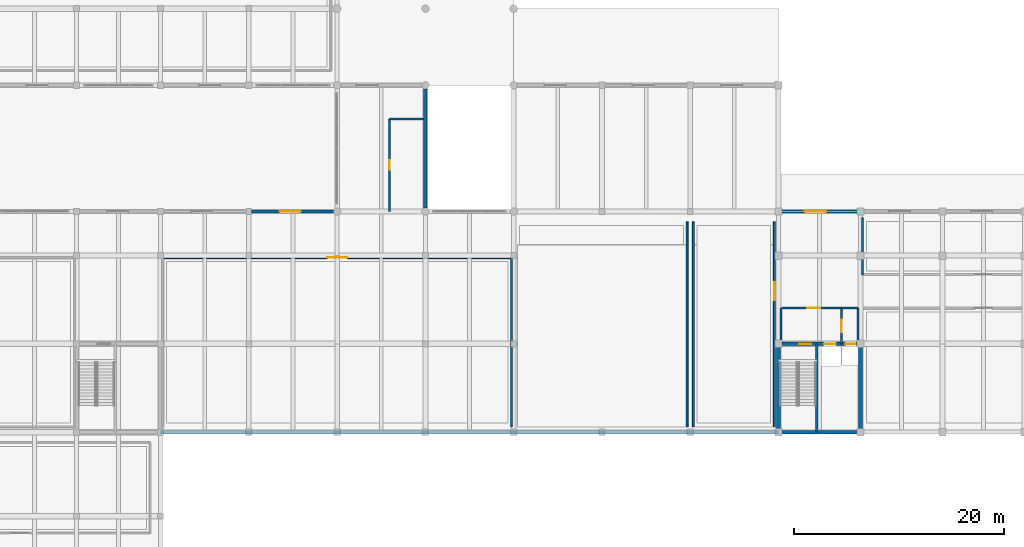
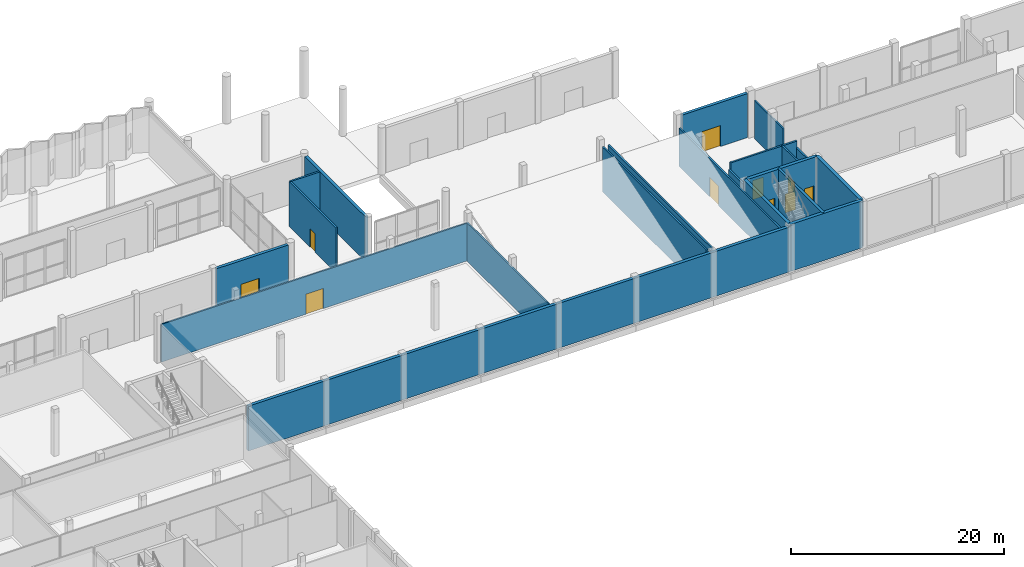
# One storey, part 29 of 41: 22 walls, 10 doors, 10 openings.
"""IFC4 building model written with IfcOpenShell, lengths in metres."""

from ifc_helpers import new_model, si_unit, direction, frame, frame_2d, origin, place, context, subcontext, project, spatial, rectangle, extrude, material, layer, layer_set, type_object, element, fill, save


model = new_model("IFC4")

# Units and contexts
model_context = context("Model", 3, precision=1e-05, world=origin(), true_north=direction((0.0, 1.0)))
body_context = subcontext(model_context, "Body", "Model", "MODEL_VIEW")
ifc_project = project(units=[si_unit("LENGTHUNIT", "METRE"), si_unit("AREAUNIT", "SQUARE_METRE"), si_unit("VOLUMEUNIT", "CUBIC_METRE"), si_unit("PLANEANGLEUNIT", "RADIAN"), si_unit("MASSUNIT", "GRAM", prefix="KILO")], contexts=[model_context])

# Site, building, storey
site_placement = place(None, origin())
site = spatial("IfcSite", under=ifc_project, at=site_placement, CompositionType="ELEMENT")
building_placement = place(site_placement, origin())
building = spatial("IfcBuilding", under=site, at=building_placement, Name="Vharandega Faculty of Natural Sciences", CompositionType="ELEMENT")
storey_placement = place(building_placement, origin())
storey = spatial("IfcBuildingStorey", under=building, at=storey_placement, Name="L00", CompositionType="ELEMENT", Elevation=0.0)

# Walls
ifc_material_1 = material(Name="Acoustic masonry blockwork 15 MPa", Category="masonry")
ifc_layer_1 = layer(ifc_material_1, 0.179931640625, Name="Acoustic masonry blockwork 15 MPa")
ifc_layer_set_1 = layer_set([ifc_layer_1], Name="Acoustic masonry blockwork 15 MPa")
wall_type_1 = type_object("IfcWallType", Name="Acoustic Lecture Wall 180", PredefinedType="PARTITIONING", material=ifc_layer_set_1)
for number, where, z_axis, x_axis, name in (
    (1, (106.10009765625, 64.5, 0.0), (0.0, 0.0, 1.0), (0.0, 1.0, 0.0), "Interior Wall PW-L00-R17E"),
    (2, (106.699951171875, 64.5, 0.0), (0.0, 0.0, 1.0), (0.0, 1.0, 0.0), "Interior Wall PW-L00-R18W"),
):
    element("IfcWall", number, at=place(storey_placement, frame(where, z_axis=z_axis, x_axis=x_axis)), inside=storey, type_object=wall_type_1, Name=name, PredefinedType="PARTITIONING", context=body_context, shape_type="SweptSolid", body=[
        extrude(rectangle(XDim=19.5, YDim=0.179931640625, at=frame_2d((9.75, 0.0))), origin(), (0.0, 0.0, 1.0), 5.139892578125),
    ])

# Wall, opening, door
wall_1_placement = place(storey_placement, frame((114.39990234375, 64.5, 0.0), z_axis=(0.0, 0.0, 1.0), x_axis=(0.0, 1.0, 0.0)))
wall_1 = element("IfcWall", 3, at=wall_1_placement, inside=storey, type_object=wall_type_1, Name="Interior Wall PW-L00-R18E", PredefinedType="PARTITIONING", context=body_context, shape_type="SweptSolid", body=[
    extrude(rectangle(XDim=19.5, YDim=0.179931640625, at=frame_2d((9.75, 0.0))), origin(), (0.0, 0.0, 1.0), 4.3701171875),
])
opening_1_placement = place(wall_1_placement, frame((12.050048828125, 0.0, 0.0)))
opening_1 = element("IfcOpeningElement", 4, at=opening_1_placement, cuts=wall_1, Name="Opening D0244", PredefinedType="OPENING", context=body_context, shape_type="SweptSolid", body=[
    extrude(rectangle(XDim=1.699951171875, YDim=2.25, at=frame_2d((0.85009765625, 1.125))), frame((0.0, 0.10009765625, 0.0), z_axis=(0.0, -1.0, 0.0), x_axis=(1.0, 0.0, 0.0)), (0.0, 0.0, 1.0), 0.199951171875),
])
ifc_material_2 = material(Name="Solid-core hardwood timber fire door", Category="wood")
door_type_1 = type_object("IfcDoorType", Name="ID01-LECTURE-DBL-1700x2250", OperationType="DOUBLE_DOOR_SINGLE_SWING", PredefinedType="DOOR", material=ifc_material_2)
door_1_placement = place(opening_1_placement, origin())
door_1 = element("IfcDoor", 5, at=door_1_placement, inside=storey, type_object=door_type_1, Name="Chemistry and Physics Lecture Theatre LT-02 Door D0244", OperationType="DOUBLE_DOOR_SINGLE_SWING", OverallHeight=2.25, OverallWidth=1.699951171875, PredefinedType="DOOR", context=body_context, shape_type="SweptSolid", body=[
    extrude(rectangle(XDim=1.699951171875, YDim=2.25, at=frame_2d((0.85009765625, 1.125))), frame((0.0, 0.02490234375, 0.0), z_axis=(0.0, -1.0, 0.0), x_axis=(1.0, 0.0, 0.0)), (0.0, 0.0, 1.0), 0.050048828125),
])
fill(opening_1, door_1)

# Walls
ifc_material_3 = material(Name="Concrete C40/50", Category="concrete")
ifc_layer_2 = layer(ifc_material_3, 0.35009765625, Name="Concrete C40/50")
ifc_layer_set_2 = layer_set([ifc_layer_2], Name="Concrete C40/50")
wall_type_2 = type_object("IfcWallType", Name="Core Shear Wall 350", PredefinedType="SHEAR", material=ifc_layer_set_2)
wall_2_placement = place(storey_placement, frame((114.800048828125, 64.0, 0.0), z_axis=(0.0, 0.0, 1.0), x_axis=(1.0, 0.0, 0.0)))
element("IfcWall", 6, at=wall_2_placement, inside=storey, type_object=wall_type_2, Name="Interior Wall CW-C1-L00-S", PredefinedType="SHEAR", context=body_context, shape_type="SweptSolid", body=[
    extrude(rectangle(XDim=7.800048828125, YDim=0.35009765625, at=frame_2d((3.89990234375, 0.0))), origin(), (0.0, 0.0, 1.0), 5.39990234375),
])
for number, where, z_axis, x_axis, name in (
    (7, (114.800048828125, 64.0, 0.0), (0.0, 0.0, 1.0), (0.0, 1.0, 0.0), "Interior Wall CW-C1-L00-W"),
    (8, (122.60009765625, 64.0, 0.0), (0.0, 0.0, 1.0), (0.0, 1.0, 0.0), "Interior Wall CW-C1-L00-E"),
):
    element("IfcWall", number, at=place(storey_placement, frame(where, z_axis=z_axis, x_axis=x_axis)), inside=storey, type_object=wall_type_2, Name=name, PredefinedType="SHEAR", context=body_context, shape_type="SweptSolid", body=[
        extrude(rectangle(XDim=8.39990234375, YDim=0.35009765625, at=frame_2d((4.199951171875, 0.0))), origin(), (0.0, 0.0, 1.0), 5.39990234375),
    ])

# Wall, openings, doors
wall_3_placement = place(storey_placement, frame((114.800048828125, 72.39990234375, 0.0), z_axis=(0.0, 0.0, 1.0), x_axis=(1.0, 0.0, 0.0)))
wall_3 = element("IfcWall", 9, at=wall_3_placement, inside=storey, type_object=wall_type_2, Name="Interior Wall CW-C1-L00-N", PredefinedType="SHEAR", context=body_context, shape_type="SweptSolid", body=[
    extrude(rectangle(XDim=7.800048828125, YDim=0.35009765625, at=frame_2d((3.89990234375, 0.0))), origin(), (0.0, 0.0, 1.0), 5.39990234375),
])
opening_2_placement = place(wall_3_placement, frame((1.97998046875, 0.0, 0.0)))
opening_2 = element("IfcOpeningElement", 10, at=opening_2_placement, cuts=wall_3, Name="Opening FD1", PredefinedType="OPENING", context=body_context, shape_type="SweptSolid", body=[
    extrude(rectangle(XDim=1.14990234375, YDim=2.199951171875, at=frame_2d((0.574951171875, 1.10009765625))), frame((0.0, 0.18505859375, 0.0), z_axis=(0.0, -1.0, 0.0), x_axis=(1.0, 0.0, 0.0)), (0.0, 0.0, 1.0), 0.3701171875),
])
opening_3_placement = place(wall_3_placement, frame((4.35009765625, 0.0, 0.0)))
opening_3 = element("IfcOpeningElement", 11, at=opening_3_placement, cuts=wall_3, Name="Opening LD-FL1-L00", PredefinedType="OPENING", context=body_context, shape_type="SweptSolid", body=[
    extrude(rectangle(XDim=1.10009765625, YDim=2.14990234375, at=frame_2d((0.550048828125, 1.074951171875))), frame((0.0, 0.18505859375, 0.0), z_axis=(0.0, -1.0, 0.0), x_axis=(1.0, 0.0, 0.0)), (0.0, 0.0, 1.0), 0.3701171875),
])
opening_4_placement = place(wall_3_placement, frame((6.360107421875, 0.0, 0.0)))
opening_4 = element("IfcOpeningElement", 12, at=opening_4_placement, cuts=wall_3, Name="Opening LD-LP1-L00", PredefinedType="OPENING", context=body_context, shape_type="SweptSolid", body=[
    extrude(rectangle(XDim=1.0, YDim=2.14990234375, at=frame_2d((0.5, 1.074951171875))), frame((0.0, 0.18505859375, 0.0), z_axis=(0.0, -1.0, 0.0), x_axis=(1.0, 0.0, 0.0)), (0.0, 0.0, 1.0), 0.3701171875),
])
ifc_material_4 = material(Name="Solid-core hardwood timber fire door", Category="wood")
door_type_2 = type_object("IfcDoorType", Name="FD1-STAIR-1150x2200", OperationType="NOTDEFINED", PredefinedType="DOOR", material=ifc_material_4)
door_2_placement = place(opening_2_placement, origin())
door_2 = element("IfcDoor", 13, at=door_2_placement, inside=storey, type_object=door_type_2, Name="Stair ST1 Fire Door FD1", OperationType="SINGLE_SWING_LEFT", OverallHeight=2.199951171875, OverallWidth=1.14990234375, PredefinedType="DOOR", context=body_context, shape_type="SweptSolid", body=[
    extrude(rectangle(XDim=1.14990234375, YDim=2.199951171875, at=frame_2d((0.574951171875, 1.10009765625))), frame((0.0, 0.02490234375, 0.0), z_axis=(0.0, -1.0, 0.0), x_axis=(1.0, 0.0, 0.0)), (0.0, 0.0, 1.0), 0.050048828125),
])
fill(opening_2, door_2)
ifc_material_5 = material(Name="Brushed stainless steel sliding landing door", Category="steel")
door_type_3 = type_object("IfcDoorType", Name="LD1-FFLIFT-SLIDING-1100x2150", OperationType="DOUBLE_DOOR_SLIDING", PredefinedType="DOOR", material=ifc_material_5)
door_3_placement = place(opening_3_placement, origin())
door_3 = element("IfcDoor", 14, at=door_3_placement, inside=storey, type_object=door_type_3, Name="Lift Landing Door LD-FL1-L00", OperationType="DOUBLE_DOOR_SLIDING", OverallHeight=2.14990234375, OverallWidth=1.10009765625, PredefinedType="DOOR", context=body_context, shape_type="SweptSolid", body=[
    extrude(rectangle(XDim=1.10009765625, YDim=2.14990234375, at=frame_2d((0.550048828125, 1.074951171875))), frame((0.0, 0.02490234375, 0.0), z_axis=(0.0, -1.0, 0.0), x_axis=(1.0, 0.0, 0.0)), (0.0, 0.0, 1.0), 0.050048828125),
])
fill(opening_3, door_3)
ifc_material_6 = material(Name="Brushed stainless steel sliding landing door", Category="steel")
door_type_4 = type_object("IfcDoorType", Name="LD2-PAXLIFT-SLIDING-1000x2150", OperationType="DOUBLE_DOOR_SLIDING", PredefinedType="DOOR", material=ifc_material_6)
door_4_placement = place(opening_4_placement, origin())
door_4 = element("IfcDoor", 15, at=door_4_placement, inside=storey, type_object=door_type_4, Name="Lift Landing Door LD-LP1-L00", OperationType="DOUBLE_DOOR_SLIDING", OverallHeight=2.14990234375, OverallWidth=1.0, PredefinedType="DOOR", context=body_context, shape_type="SweptSolid", body=[
    extrude(rectangle(XDim=1.0, YDim=2.14990234375, at=frame_2d((0.5, 1.074951171875))), frame((0.0, 0.02490234375, 0.0), z_axis=(0.0, -1.0, 0.0), x_axis=(1.0, 0.0, 0.0)), (0.0, 0.0, 1.0), 0.050048828125),
])
fill(opening_4, door_4)

# Wall, opening, door
ifc_material_7 = material(Name="Concrete C40/50", Category="concrete")
ifc_layer_3 = layer(ifc_material_7, 0.199951171875, Name="Concrete C40/50")
ifc_layer_set_3 = layer_set([ifc_layer_3], Name="Concrete C40/50")
wall_type_3 = type_object("IfcWallType", Name="Firefighting Lobby Wall 200", PredefinedType="PARTITIONING", material=ifc_layer_set_3)
wall_4_placement = place(storey_placement, frame((115.14990234375, 75.800048828125, 0.0), z_axis=(0.0, 0.0, 1.0), x_axis=(1.0, 0.0, 0.0)))
wall_4 = element("IfcWall", 16, at=wall_4_placement, inside=storey, type_object=wall_type_3, Name="Interior Wall PW-FFL-C1-L00-N", PredefinedType="PARTITIONING", context=body_context, shape_type="SweptSolid", body=[
    extrude(rectangle(XDim=5.650146484375, YDim=0.199951171875, at=frame_2d((2.8251953125, 0.0))), origin(), (0.0, 0.0, 1.0), 5.1201171875),
])
opening_5_placement = place(wall_4_placement, frame((2.39990234375, 0.0, 0.0)))
opening_5 = element("IfcOpeningElement", 17, at=opening_5_placement, cuts=wall_4, Name="Opening FD2", PredefinedType="OPENING", context=body_context, shape_type="SweptSolid", body=[
    extrude(rectangle(XDim=1.199951171875, YDim=2.199951171875, at=frame_2d((0.60009765625, 1.10009765625))), frame((0.0, 0.10986328125, 0.0), z_axis=(0.0, -1.0, 0.0), x_axis=(1.0, 0.0, 0.0)), (0.0, 0.0, 1.0), 0.219970703125),
])
ifc_material_8 = material(Name="Solid-core hardwood timber fire door", Category="wood")
door_type_5 = type_object("IfcDoorType", Name="FD2-FFLOBBY-1200x2200", OperationType="NOTDEFINED", PredefinedType="DOOR", material=ifc_material_8)
door_5_placement = place(opening_5_placement, origin())
door_5 = element("IfcDoor", 18, at=door_5_placement, inside=storey, type_object=door_type_5, Name="Firefighting Lobby C1 Door FD2", OperationType="SINGLE_SWING_LEFT", OverallHeight=2.199951171875, OverallWidth=1.199951171875, PredefinedType="DOOR", context=body_context, shape_type="SweptSolid", body=[
    extrude(rectangle(XDim=1.199951171875, YDim=2.199951171875, at=frame_2d((0.60009765625, 1.10009765625))), frame((0.0, 0.02490234375, 0.0), z_axis=(0.0, -1.0, 0.0), x_axis=(1.0, 0.0, 0.0)), (0.0, 0.0, 1.0), 0.050048828125),
])
fill(opening_5, door_5)

# Wall
wall_5_placement = place(storey_placement, frame((115.050048828125, 72.39990234375, 0.0), z_axis=(0.0, 0.0, 1.0), x_axis=(0.0, 1.0, 0.0)))
element("IfcWall", 19, at=wall_5_placement, inside=storey, type_object=wall_type_3, Name="Interior Wall PW-FFL-C1-L00-W", PredefinedType="PARTITIONING", context=body_context, shape_type="SweptSolid", body=[
    extrude(rectangle(XDim=3.400146484375, YDim=0.199951171875, at=frame_2d((1.7001953125, 0.0))), origin(), (0.0, 0.0, 1.0), 4.3701171875),
])

# Wall, opening, door
wall_6_placement = place(storey_placement, frame((120.800048828125, 72.39990234375, 0.0), z_axis=(0.0, 0.0, 1.0), x_axis=(0.0, 1.0, 0.0)))
wall_6 = element("IfcWall", 20, at=wall_6_placement, inside=storey, type_object=wall_type_3, Name="Interior Wall PW-FFL-C1-L00-E", PredefinedType="PARTITIONING", context=body_context, shape_type="SweptSolid", body=[
    extrude(rectangle(XDim=3.400146484375, YDim=0.199951171875, at=frame_2d((1.7001953125, 0.0))), origin(), (0.0, 0.0, 1.0), 5.1201171875),
])
opening_6_placement = place(wall_6_placement, frame((1.10009765625, 0.0, 0.0)))
opening_6 = element("IfcOpeningElement", 21, at=opening_6_placement, cuts=wall_6, Name="Opening FD2", PredefinedType="OPENING", context=body_context, shape_type="SweptSolid", body=[
    extrude(rectangle(XDim=1.199951171875, YDim=2.199951171875, at=frame_2d((0.60009765625, 1.10009765625))), frame((0.0, 0.10986328125, 0.0), z_axis=(0.0, -1.0, 0.0), x_axis=(1.0, 0.0, 0.0)), (0.0, 0.0, 1.0), 0.219970703125),
])
door_6_placement = place(opening_6_placement, origin())
door_6 = element("IfcDoor", 22, at=door_6_placement, inside=storey, type_object=door_type_5, Name="Lobby Interconnect C1 Door FD2", OperationType="SINGLE_SWING_RIGHT", OverallHeight=2.199951171875, OverallWidth=1.199951171875, PredefinedType="DOOR", context=body_context, shape_type="SweptSolid", body=[
    extrude(rectangle(XDim=1.199951171875, YDim=2.199951171875, at=frame_2d((0.60009765625, 1.10009765625))), frame((0.0, 0.02490234375, 0.0), z_axis=(0.0, -1.0, 0.0), x_axis=(1.0, 0.0, 0.0)), (0.0, 0.0, 1.0), 0.050048828125),
])
fill(opening_6, door_6)

# Walls
wall_7_placement = place(storey_placement, frame((120.800048828125, 75.800048828125, 0.0), z_axis=(0.0, 0.0, 1.0), x_axis=(1.0, 0.0, 0.0)))
element("IfcWall", 23, at=wall_7_placement, inside=storey, type_object=wall_type_3, Name="Interior Wall PW-LL-C1-L00-N", PredefinedType="PARTITIONING", context=body_context, shape_type="SweptSolid", body=[
    extrude(rectangle(XDim=1.550048828125, YDim=0.199951171875, at=frame_2d((0.77490234375, 0.0))), origin(), (0.0, 0.0, 1.0), 5.1201171875),
])
wall_8_placement = place(storey_placement, frame((122.35009765625, 72.39990234375, 0.0), z_axis=(0.0, 0.0, 1.0), x_axis=(0.0, 1.0, 0.0)))
element("IfcWall", 24, at=wall_8_placement, inside=storey, type_object=wall_type_3, Name="Interior Wall PW-LL-C1-L00-E", PredefinedType="PARTITIONING", context=body_context, shape_type="SweptSolid", body=[
    extrude(rectangle(XDim=3.400146484375, YDim=0.199951171875, at=frame_2d((1.7001953125, 0.0))), origin(), (0.0, 0.0, 1.0), 4.3701171875),
])
wall_9_placement = place(storey_placement, frame((77.800048828125, 93.800048828125, 0.0), z_axis=(0.0, 0.0, 1.0), x_axis=(1.0, 0.0, 0.0)))
element("IfcWall", 25, at=wall_9_placement, inside=storey, type_object=wall_type_3, Name="Interior Wall PW-L00-R13N", PredefinedType="PARTITIONING", context=body_context, shape_type="SweptSolid", body=[
    extrude(rectangle(XDim=3.199951171875, YDim=0.199951171875, at=frame_2d((1.60009765625, 0.0))), origin(), (0.0, 0.0, 1.0), 5.139892578125),
])

# Wall, opening, door
wall_10_placement = place(storey_placement, frame((77.800048828125, 85.0, 0.0), z_axis=(0.0, 0.0, 1.0), x_axis=(0.0, 1.0, 0.0)))
wall_10 = element("IfcWall", 26, at=wall_10_placement, inside=storey, type_object=wall_type_3, Name="Interior Wall PW-L00-R13W", PredefinedType="PARTITIONING", context=body_context, shape_type="SweptSolid", body=[
    extrude(rectangle(XDim=8.800048828125, YDim=0.199951171875, at=frame_2d((4.39990234375, 0.0))), origin(), (0.0, 0.0, 1.0), 5.139892578125),
])
opening_7_placement = place(wall_10_placement, frame((3.949951171875, 0.0, 0.0)))
opening_7 = element("IfcOpeningElement", 27, at=opening_7_placement, cuts=wall_10, Name="Opening FD6", PredefinedType="OPENING", context=body_context, shape_type="SweptSolid", body=[
    extrude(rectangle(XDim=0.89990234375, YDim=2.10009765625, at=frame_2d((0.449951171875, 1.050048828125))), frame((0.0, 0.10986328125, 0.0), z_axis=(0.0, -1.0, 0.0), x_axis=(1.0, 0.0, 0.0)), (0.0, 0.0, 1.0), 0.219970703125),
])
ifc_material_9 = material(Name="Solid-core hardwood timber fire door", Category="wood")
door_type_6 = type_object("IfcDoorType", Name="FD6-RISER-0900x2100", OperationType="NOTDEFINED", PredefinedType="DOOR", material=ifc_material_9)
door_7_placement = place(opening_7_placement, origin())
door_7 = element("IfcDoor", 28, at=door_7_placement, inside=storey, type_object=door_type_6, Name="Fire Command Room Door FD6", OperationType="SINGLE_SWING_LEFT", OverallHeight=2.10009765625, OverallWidth=0.89990234375, PredefinedType="DOOR", context=body_context, shape_type="SweptSolid", body=[
    extrude(rectangle(XDim=0.89990234375, YDim=2.10009765625, at=frame_2d((0.449951171875, 1.050048828125))), frame((0.0, 0.02490234375, 0.0), z_axis=(0.0, -1.0, 0.0), x_axis=(1.0, 0.0, 0.0)), (0.0, 0.0, 1.0), 0.050048828125),
])
fill(opening_7, door_7)

ifc_material_10 = material(Name="Granite ashlar masonry 25 MPa", Category="masonry")
ifc_layer_4 = layer(ifc_material_10, 0.320068359375, Name="Granite ashlar masonry 25 MPa")
ifc_layer_set_4 = layer_set([ifc_layer_4], Name="Granite ashlar masonry 25 MPa")
wall_type_4 = type_object("IfcWallType", Name="Harare Granite Plinth Wall 320", PredefinedType="SOLIDWALL", material=ifc_layer_set_4)
wall_11_placement = place(storey_placement, frame((115.14794921875, 85.0, 0.0), z_axis=(0.0, 0.0, 1.0), x_axis=(1.0, 0.0, 0.0)))
wall_11 = element("IfcWall", 29, at=wall_11_placement, inside=storey, type_object=wall_type_4, Name="Exterior Wall EW-L00-V4N-1", PredefinedType="SOLIDWALL", context=body_context, shape_type="SweptSolid", body=[
    extrude(rectangle(XDim=7.10400390625, YDim=0.320068359375, at=frame_2d((3.552001953125, 0.0))), origin(), (0.0, 0.0, 1.0), 5.050048828125),
])
opening_8_placement = place(wall_11_placement, frame((2.172119140625, 0.0, 0.0)))
opening_8 = element("IfcOpeningElement", 30, at=opening_8_placement, cuts=wall_11, Name="Opening EX-C1", PredefinedType="OPENING", context=body_context, shape_type="SweptSolid", body=[
    extrude(rectangle(XDim=2.0, YDim=2.39990234375, at=frame_2d((1.0, 1.199951171875))), frame((0.0, 0.169921875, 0.0), z_axis=(0.0, -1.0, 0.0), x_axis=(1.0, 0.0, 0.0)), (0.0, 0.0, 1.0), 0.340087890625),
])
ifc_material_11 = material(Name="Thermally broken glazed aluminium door", Category="aluminium")
door_type_7 = type_object("IfcDoorType", Name="EXT-ENTRY-DBL-2000x2400", OperationType="DOUBLE_DOOR_SINGLE_SWING", PredefinedType="DOOR", material=ifc_material_11)
door_8_placement = place(opening_8_placement, origin())
door_8 = element("IfcDoor", 31, at=door_8_placement, inside=storey, type_object=door_type_7, Name="Core C1 Final Exit EX-C1", OperationType="DOUBLE_DOOR_SINGLE_SWING", OverallHeight=2.39990234375, OverallWidth=2.0, PredefinedType="DOOR", context=body_context, shape_type="SweptSolid", body=[
    extrude(rectangle(XDim=2.0, YDim=2.39990234375, at=frame_2d((1.0, 1.199951171875))), frame((0.0, 0.02490234375, 0.0), z_axis=(0.0, -1.0, 0.0), x_axis=(1.0, 0.0, 0.0)), (0.0, 0.0, 1.0), 0.050048828125),
])
fill(opening_8, door_8)

# Wall
wall_12_placement = place(storey_placement, frame((81.199951171875, 96.652099609375, 0.0), z_axis=(0.0, 0.0, 1.0), x_axis=(0.0, -1.0, 0.0)))
element("IfcWall", 32, at=wall_12_placement, inside=storey, type_object=wall_type_4, Name="Exterior Wall EW-L00-V6E", PredefinedType="SOLIDWALL", context=body_context, shape_type="SweptSolid", body=[
    extrude(rectangle(XDim=11.30419921875, YDim=0.320068359375, at=frame_2d((5.652099609375, 0.0))), origin(), (0.0, 0.0, 1.0), 5.10009765625),
])

# Wall, opening, door
wall_13_placement = place(storey_placement, frame((64.673095703125, 85.0, 0.0), z_axis=(0.0, 0.0, 1.0), x_axis=(1.0, 0.0, 0.0)))
wall_13 = element("IfcWall", 33, at=wall_13_placement, inside=storey, type_object=wall_type_4, Name="Exterior Wall EW-L00-V3N-9", PredefinedType="SOLIDWALL", context=body_context, shape_type="SweptSolid", body=[
    extrude(rectangle(XDim=7.77880859375, YDim=0.320068359375, at=frame_2d((3.889404296875, 0.0))), origin(), (0.0, 0.0, 1.0), 5.1201171875),
])
opening_9_placement = place(wall_13_placement, frame((2.64697265625, 0.0, 0.0)))
opening_9 = element("IfcOpeningElement", 34, at=opening_9_placement, cuts=wall_13, Name="Opening EX-ATR9", PredefinedType="OPENING", context=body_context, shape_type="SweptSolid", body=[
    extrude(rectangle(XDim=2.0, YDim=2.39990234375, at=frame_2d((1.0, 1.199951171875))), frame((0.0, 0.169921875, 0.0), z_axis=(0.0, -1.0, 0.0), x_axis=(1.0, 0.0, 0.0)), (0.0, 0.0, 1.0), 0.340087890625),
])
door_9_placement = place(opening_9_placement, origin())
door_9 = element("IfcDoor", 35, at=door_9_placement, inside=storey, type_object=door_type_7, Name="Atrium Courtyard Exit 9 EX-ATR9", OperationType="DOUBLE_DOOR_SINGLE_SWING", OverallHeight=2.39990234375, OverallWidth=2.0, PredefinedType="DOOR", context=body_context, shape_type="SweptSolid", body=[
    extrude(rectangle(XDim=2.0, YDim=2.39990234375, at=frame_2d((1.0, 1.199951171875))), frame((0.0, 0.02490234375, 0.0), z_axis=(0.0, -1.0, 0.0), x_axis=(1.0, 0.0, 0.0)), (0.0, 0.0, 1.0), 0.050048828125),
])
fill(opening_9, door_9)

# Wall
ifc_material_12 = material(Name="Granite ashlar masonry 25 MPa", Category="masonry")
ifc_layer_5 = layer(ifc_material_12, 0.340087890625, Name="Granite ashlar masonry 25 MPa")
ifc_layer_set_5 = layer_set([ifc_layer_5], Name="Granite ashlar masonry 25 MPa")
wall_type_5 = type_object("IfcWallType", Name="Imperforate Party Wall 340", PredefinedType="SOLIDWALL", material=ifc_layer_set_5)
wall_14_placement = place(storey_placement, frame((114.800048828125, 64.0, 0.0), z_axis=(0.0, 0.0, 1.0), x_axis=(-1.0, 0.0, 0.0)))
element("IfcWall", 36, at=wall_14_placement, inside=storey, type_object=wall_type_5, Name="Exterior Wall EW-PTY-L00-J1", PredefinedType="SOLIDWALL", context=body_context, shape_type="SweptSolid", body=[
    extrude(rectangle(XDim=58.800048828125, YDim=0.340087890625, at=frame_2d((29.39990234375, 0.0))), origin(), (0.0, 0.0, 1.0), 5.139892578125),
])

# Wall, opening, door
ifc_material_13 = material(Name="Gypsum fire-board on steel stud", Category="steel")
ifc_layer_6 = layer(ifc_material_13, 0.159912109375, Name="Gypsum fire-board on steel stud")
ifc_layer_set_6 = layer_set([ifc_layer_6], Name="Gypsum fire-board on steel stud")
wall_type_6 = type_object("IfcWallType", Name="Laboratory Fire Corridor Wall 160", PredefinedType="PARTITIONING", material=ifc_layer_set_6)
wall_15_placement = place(storey_placement, frame((56.199951171875, 80.60009765625, 0.0), z_axis=(0.0, 0.0, 1.0), x_axis=(1.0, 0.0, 0.0)))
wall_15 = element("IfcWall", 37, at=wall_15_placement, inside=storey, type_object=wall_type_6, Name="Interior Wall PW-L00-R16N", PredefinedType="PARTITIONING", context=body_context, shape_type="SweptSolid", body=[
    extrude(rectangle(XDim=33.199951171875, YDim=0.159912109375, at=frame_2d((16.60009765625, 0.0))), origin(), (0.0, 0.0, 1.0), 4.320068359375),
])
opening_10_placement = place(wall_15_placement, frame((15.64990234375, 0.0, 0.0)))
opening_10 = element("IfcOpeningElement", 38, at=opening_10_placement, cuts=wall_15, Name="Opening D0243", PredefinedType="OPENING", context=body_context, shape_type="SweptSolid", body=[
    extrude(rectangle(XDim=1.89990234375, YDim=2.300048828125, at=frame_2d((0.949951171875, 1.14990234375))), frame((0.0, 0.08984375, 0.0), z_axis=(0.0, -1.0, 0.0), x_axis=(1.0, 0.0, 0.0)), (0.0, 0.0, 1.0), 0.179931640625),
])
ifc_material_14 = material(Name="Solid-core hardwood timber fire door", Category="wood")
door_type_8 = type_object("IfcDoorType", Name="ID08-COMMONS-DBL-1900x2300", OperationType="DOUBLE_DOOR_SINGLE_SWING", PredefinedType="DOOR", material=ifc_material_14)
door_10_placement = place(opening_10_placement, origin())
door_10 = element("IfcDoor", 39, at=door_10_placement, inside=storey, type_object=door_type_8, Name="Sky-Lit Central Atrium Exhibition Concourse Door D0243", OperationType="DOUBLE_DOOR_SINGLE_SWING", OverallHeight=2.300048828125, OverallWidth=1.89990234375, PredefinedType="DOOR", context=body_context, shape_type="SweptSolid", body=[
    extrude(rectangle(XDim=1.89990234375, YDim=2.300048828125, at=frame_2d((0.949951171875, 1.14990234375))), frame((0.0, 0.02490234375, 0.0), z_axis=(0.0, -1.0, 0.0), x_axis=(1.0, 0.0, 0.0)), (0.0, 0.0, 1.0), 0.050048828125),
])
fill(opening_10, door_10)

# Walls
wall_16_placement = place(storey_placement, frame((89.39990234375, 64.5, 0.0), z_axis=(0.0, 0.0, 1.0), x_axis=(0.0, 1.0, 0.0)))
element("IfcWall", 40, at=wall_16_placement, inside=storey, type_object=wall_type_6, Name="Interior Wall PW-L00-R16E", PredefinedType="PARTITIONING", context=body_context, shape_type="SweptSolid", body=[
    extrude(rectangle(XDim=16.10009765625, YDim=0.159912109375, at=frame_2d((8.050048828125, 0.0))), origin(), (0.0, 0.0, 1.0), 4.3701171875),
])
wall_17_placement = place(storey_placement, frame((122.800048828125, 79.0, 0.0), z_axis=(0.0, 0.0, 1.0), x_axis=(0.0, 1.0, 0.0)))
element("IfcWall", 41, at=wall_17_placement, inside=storey, type_object=wall_type_6, Name="Interior Wall PW-L00-R20W", PredefinedType="PARTITIONING", context=body_context, shape_type="SweptSolid", body=[
    extrude(rectangle(XDim=5.39990234375, YDim=0.159912109375, at=frame_2d((2.699951171875, 0.0))), origin(), (0.0, 0.0, 1.0), 4.3701171875),
])
ifc_material_15 = material(Name="Concrete C40/50", Category="concrete")
ifc_layer_7 = layer(ifc_material_15, 0.260009765625, Name="Concrete C40/50")
ifc_layer_set_7 = layer_set([ifc_layer_7], Name="Concrete C40/50")
wall_type_7 = type_object("IfcWallType", Name="Lift Shaft Shear Wall 260", PredefinedType="SHEAR", material=ifc_layer_set_7)
wall_18_placement = place(storey_placement, frame((118.43994140625, 64.0, 0.0), z_axis=(0.0, 0.0, 1.0), x_axis=(0.0, 1.0, 0.0)))
element("IfcWall", 42, at=wall_18_placement, inside=storey, type_object=wall_type_7, Name="Interior Wall CW-C1-L00-DIV", PredefinedType="SHEAR", context=body_context, shape_type="SweptSolid", body=[
    extrude(rectangle(XDim=8.39990234375, YDim=0.260009765625, at=frame_2d((4.199951171875, 0.0))), origin(), (0.0, 0.0, 1.0), 5.39990234375),
])

save(model, "model.ifc")
